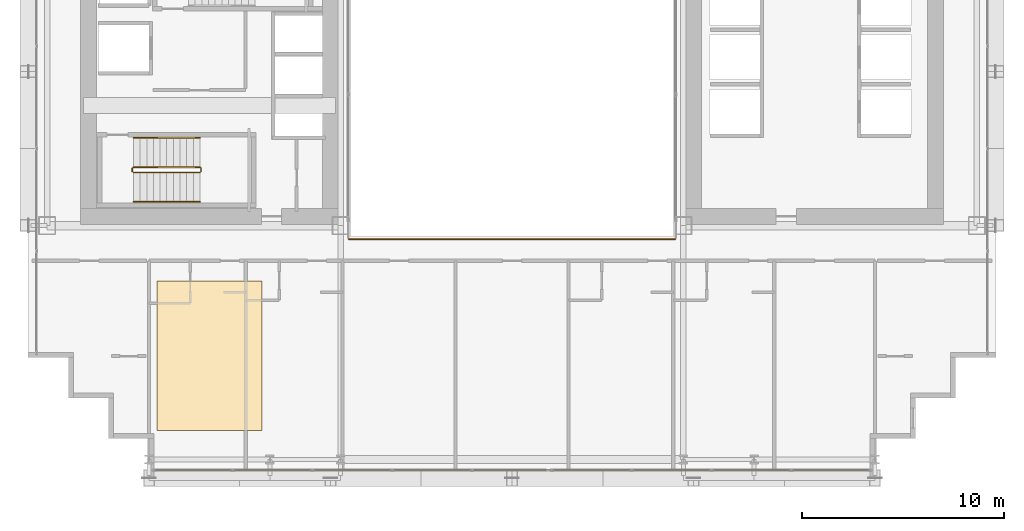
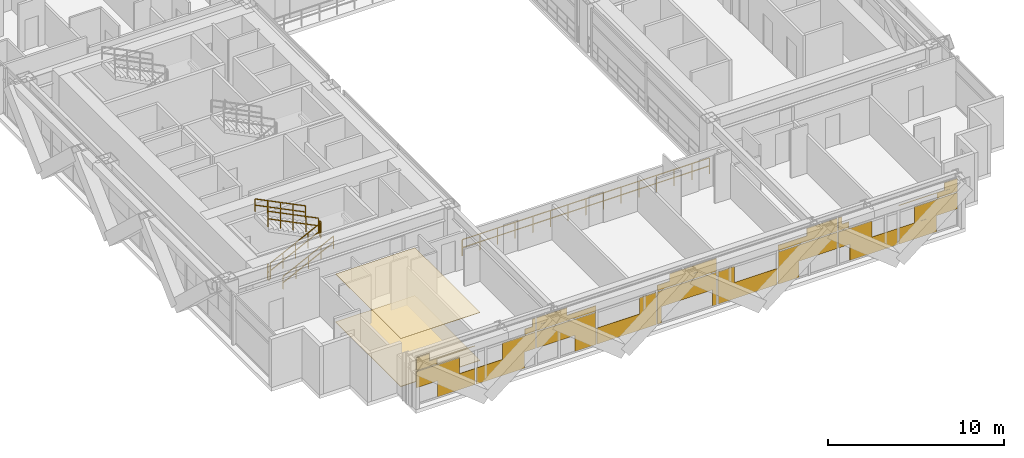
# One storey, part 38 of 41: 7 railings, 3 coverings.
"""IFC4 building model written with IfcOpenShell, lengths in metres."""

import ifcopenshell
import ifcopenshell.guid

model = None  # the IFC model being written
_history = None  # IfcOwnerHistory: only IFC2X3 demands one
_inside = {}  # id of a spatial element -> (the spatial element, [elements in it])
_under = {}  # id of a project, library or spatial element -> (it, [spatial elements below it])
_declared = {}  # id of a project -> (the project, [libraries it declares])
_typed = {}  # id of a type object -> (the type object, [elements of that type])
_made_of = {}  # id of a material, layer set ... -> (it, [elements and type objects made of it])


def new_model(schema):
    """Start an empty IFC model of exactly this schema.

    Asked for "IFC4X3", IfcOpenShell would pick the latest addendum, in which some entities
    have other attributes; the version numbers below select the first issue.
    IFC2X3 requires an IfcOwnerHistory on every rooted entity: one is made here for all.
    """
    global model, _history
    if schema == "IFC4X3":
        model = ifcopenshell.file(schema_version=(4, 3, 0, 0))
    else:
        model = ifcopenshell.file(schema=schema)
    _inside.clear()
    _under.clear()
    _declared.clear()
    _typed.clear()
    _made_of.clear()
    _history = None
    if model.schema == "IFC2X3":
        org = make("IfcOrganization", Name="unknown")
        user = make(
            "IfcPersonAndOrganization",
            ThePerson=make("IfcPerson", FamilyName="unknown"),
            TheOrganization=org,
        )
        app = make(
            "IfcApplication",
            ApplicationDeveloper=org,
            Version="unknown",
            ApplicationFullName="unknown",
            ApplicationIdentifier="unknown",
        )
        _history = make(
            "IfcOwnerHistory",
            OwningUser=user,
            OwningApplication=app,
            ChangeAction="ADDED",
            CreationDate=0,
        )
    return model


def make(cls, **values):
    """One entity of the class cls with the attributes given. An attribute that is None is left unset."""
    return model.create_entity(
        cls, **{name: value for name, value in values.items() if value is not None}
    )


def rooted(cls, **values):
    """An entity with a GlobalId (a new one), such as an element, a storey or a relation."""
    return make(cls, GlobalId=ifcopenshell.guid.new(), OwnerHistory=_history, **values)


def si_unit(unit_type, name, prefix=None):
    """IfcSIUnit, for example si_unit("LENGTHUNIT", "METRE", prefix="MILLI")."""
    return make("IfcSIUnit", UnitType=unit_type, Prefix=prefix, Name=name)


def assignment(units):
    """IfcUnitAssignment: the units of a project."""
    return None if units is None else make("IfcUnitAssignment", Units=units)


def point(xyz):
    """IfcCartesianPoint."""
    return None if xyz is None else make("IfcCartesianPoint", Coordinates=xyz)


def direction(xyz):
    """IfcDirection."""
    return None if xyz is None else make("IfcDirection", DirectionRatios=xyz)


def frame(location, z_axis=None, x_axis=None):
    """IfcAxis2Placement3D, a coordinate frame: its origin and axes. An axis left out is left unset."""
    return make(
        "IfcAxis2Placement3D",
        Location=point(location),
        Axis=direction(z_axis),
        RefDirection=direction(x_axis),
    )


def frame_2d(location, x_axis=None):
    """IfcAxis2Placement2D, a coordinate frame in the plane: its origin and x axis."""
    return make(
        "IfcAxis2Placement2D", Location=point(location), RefDirection=direction(x_axis)
    )


def origin():
    """The frame at (0, 0, 0) with its axes left unset."""
    return frame((0.0, 0.0, 0.0))


def origin_2d():
    """The frame at (0, 0) in the plane with its x axis left unset."""
    return frame_2d((0.0, 0.0))


def place(relative_to, where):
    """IfcLocalPlacement: puts the frame where relative to a parent placement (None: the world)."""
    return make(
        "IfcLocalPlacement", PlacementRelTo=relative_to, RelativePlacement=where
    )


def context(
    kind, dimensions, precision=None, world=None, true_north=None, identifier=None
):
    """IfcGeometricRepresentationContext, for example the 3D "Model" context."""
    return make(
        "IfcGeometricRepresentationContext",
        ContextIdentifier=identifier,
        ContextType=kind,
        CoordinateSpaceDimension=dimensions,
        Precision=precision,
        WorldCoordinateSystem=world,
        TrueNorth=true_north,
    )


def subcontext(parent, identifier, kind, view, scale=None):
    """IfcGeometricRepresentationSubContext, for example "Body" below "Model"."""
    return make(
        "IfcGeometricRepresentationSubContext",
        ContextIdentifier=identifier,
        ContextType=kind,
        ParentContext=parent,
        TargetScale=scale,
        TargetView=view,
    )


def project(units=None, contexts=None):
    """IfcProject with its units and contexts."""
    return rooted(
        "IfcProject",
        Name="project",
        RepresentationContexts=contexts,
        UnitsInContext=assignment(units),
    )


def spatial(cls, under=None, at=None, **own):
    """A site, building, storey or space (cls), placed at a placement, below another one or the project."""
    s = rooted(cls, ObjectPlacement=at, **own)
    if under is not None:
        _under.setdefault(under.id(), (under, []))[1].append(s)
    return s


def polyline(points):
    """IfcPolyline through the points."""
    return make("IfcPolyline", Points=[point(p) for p in points])


def profile(cls, at=None, kind="AREA", **sizes):
    """A parametric profile (cls). Its sizes go by their IFC names, for example OverallWidth=200.0."""
    return make(cls, ProfileType=kind, Position=at, **sizes)


def rectangle(**sizes):
    """IfcRectangleProfileDef."""
    return profile("IfcRectangleProfileDef", **sizes)


def outline(outer, holes=None, kind="AREA"):
    """IfcArbitraryClosedProfileDef: a profile drawn as a closed curve; with holes, ...WithVoids."""
    if holes is None:
        return make("IfcArbitraryClosedProfileDef", ProfileType=kind, OuterCurve=outer)
    return make(
        "IfcArbitraryProfileDefWithVoids",
        ProfileType=kind,
        OuterCurve=outer,
        InnerCurves=holes,
    )


def extrude(swept, where, along, depth):
    """IfcExtrudedAreaSolid: the profile swept, set in the frame where, extruded along a direction by depth."""
    return make(
        "IfcExtrudedAreaSolid",
        SweptArea=swept,
        Position=where,
        ExtrudedDirection=direction(along),
        Depth=depth,
    )


def shape(context_of_items, identifier, shape_type, items):
    """IfcShapeRepresentation: the items that make up one representation, for example the "Body"."""
    return make(
        "IfcShapeRepresentation",
        ContextOfItems=context_of_items,
        RepresentationIdentifier=identifier,
        RepresentationType=shape_type,
        Items=items,
    )


def material(Name=None, Category=None):
    """IfcMaterial."""
    return make("IfcMaterial", Name=Name, Category=Category)


def layer(
    of_material, thickness, ventilated=None, Name=None, Category=None, Priority=None
):
    """IfcMaterialLayer: one layer of a wall or slab, of a material (None: an air gap)."""
    return make(
        "IfcMaterialLayer",
        Material=of_material,
        LayerThickness=thickness,
        IsVentilated=ventilated,
        Name=Name,
        Category=Category,
        Priority=Priority,
    )


def layer_set(layers, Name=None):
    """IfcMaterialLayerSet."""
    return make("IfcMaterialLayerSet", MaterialLayers=layers, LayerSetName=Name)


def made_of(thing, what):
    """Note that an element or type object is made of a material, layer set ...; save() writes the relation."""
    if what is not None:
        _made_of.setdefault(what.id(), (what, []))[1].append(thing)
    return thing


def type_object(cls, material=None, **own):
    """A type object (cls), such as IfcWallType, which elements share."""
    return made_of(rooted(cls, **own), material)


def element(
    cls,
    number,
    at=None,
    inside=None,
    cuts=None,
    type_object=None,
    material=None,
    context=None,
    identifier="Body",
    shape_type=None,
    held_by="IfcProductDefinitionShape",
    body=None,
    shapes=None,
    **own,
):
    """One element of the class cls, such as IfcWall. Its Tag is "e" and its number.

    at: its placement. inside: the storey or other place that contains it. cuts: it is an
    opening in that element (IfcRelVoidsElement). A single representation is given by context,
    identifier, shape_type and body (its items); several are given by shapes. held_by: the class
    of the entity that holds the representations. save() writes the other relations.
    """
    e = rooted(cls, Tag="e%d" % number, ObjectPlacement=at, **own)
    if body is not None:
        shapes = [shape(context, identifier, shape_type, body)]
    if shapes is not None:
        e.Representation = make(held_by, Representations=shapes)
    if inside is not None:
        _inside.setdefault(inside.id(), (inside, []))[1].append(e)
    if cuts is not None:
        rooted(
            "IfcRelVoidsElement", RelatingBuildingElement=cuts, RelatedOpeningElement=e
        )
    if type_object is not None:
        _typed.setdefault(type_object.id(), (type_object, []))[1].append(e)
    return made_of(e, material)


def aggregate(whole, parts):
    """IfcRelAggregates: a whole, such as a stair, and the parts it consists of."""
    return rooted("IfcRelAggregates", RelatingObject=whole, RelatedObjects=parts)


def save(model, path):
    """Write the relations noted so far, then the file.

    IfcRelAggregates (storeys below a building ...), IfcRelContainedInSpatialStructure (elements
    in a storey), IfcRelDefinesByType, IfcRelAssociatesMaterial and IfcRelDeclares: one each for
    every whole, place, type object, material and project.
    """
    for whole, parts in _under.values():
        aggregate(whole, parts)
    for where, things in _inside.values():
        rooted(
            "IfcRelContainedInSpatialStructure",
            RelatedElements=things,
            RelatingStructure=where,
        )
    for kind, things in _typed.values():
        rooted("IfcRelDefinesByType", RelatedObjects=things, RelatingType=kind)
    for what, things in _made_of.values():
        rooted("IfcRelAssociatesMaterial", RelatedObjects=things, RelatingMaterial=what)
    for by, libraries in _declared.values():
        rooted("IfcRelDeclares", RelatingContext=by, RelatedDefinitions=libraries)
    model.write(path)


model = new_model("IFC4")

# Units and contexts
model_context = context("Model", 3, precision=1e-05, world=origin(), true_north=direction((0.0, 1.0)))
body_context = subcontext(model_context, "Body", "Model", "MODEL_VIEW")
ifc_project = project(units=[si_unit("LENGTHUNIT", "METRE"), si_unit("AREAUNIT", "SQUARE_METRE"), si_unit("VOLUMEUNIT", "CUBIC_METRE"), si_unit("PLANEANGLEUNIT", "RADIAN"), si_unit("MASSUNIT", "GRAM", prefix="KILO")], contexts=[model_context])

# Site, building, storey
site_placement = place(None, origin())
site = spatial("IfcSite", under=ifc_project, at=site_placement, CompositionType="ELEMENT")
building_placement = place(site_placement, origin())
building = spatial("IfcBuilding", under=site, at=building_placement, Name="Ocotamira Hotel", CompositionType="ELEMENT")
storey_placement = place(building_placement, frame((0.0, 0.0, 67.199951171875)))
storey = spatial("IfcBuildingStorey", under=building, at=storey_placement, Name="L16", CompositionType="ELEMENT", Elevation=67.199951171875)

# Coverings
ifc_material_1 = material(Name="Perforated acoustic gypsum ceiling board", Category="gypsum")
ifc_layer_1 = layer(ifc_material_1, 0.02490234375)
ifc_layer_set_1 = layer_set([ifc_layer_1], Name="Perforated acoustic gypsum ceiling board")
covering_type_1 = type_object("IfcCoveringType", Name="COV-CEIL-25", PredefinedType="CEILING", material=ifc_layer_set_1)
covering_1_placement = place(storey_placement, frame((0.0, 0.0, 3.324951171875)))
element("IfcCovering", 1, at=covering_1_placement, inside=storey, type_object=covering_type_1, Name="L16 Acoustic Ceiling", PredefinedType="CEILING", context=body_context, shape_type="SweptSolid", body=[
    extrude(outline(polyline([(14.39990234375, 4.39990234375), (19.60009765625, 4.39990234375), (19.60009765625, 11.800048828125), (14.39990234375, 11.800048828125), (14.39990234375, 4.39990234375)])), origin(), (0.0, 0.0, 1.0), 0.025146484375),
])
ifc_material_2 = material(Name="Honed desert travertine stone flooring", Category="masonry")
ifc_layer_2 = layer(ifc_material_2, 0.030029296875)
ifc_layer_set_2 = layer_set([ifc_layer_2], Name="Honed desert travertine stone flooring")
covering_type_2 = type_object("IfcCoveringType", Name="COV-FLOR-30", PredefinedType="FLOORING", material=ifc_layer_set_2)
covering_2_placement = place(storey_placement, origin())
element("IfcCovering", 2, at=covering_2_placement, inside=storey, type_object=covering_type_2, Name="L16 Honed Stone Floor Finish", PredefinedType="FLOORING", context=body_context, shape_type="SweptSolid", body=[
    extrude(outline(polyline([(14.39990234375, 4.39990234375), (19.60009765625, 4.39990234375), (19.60009765625, 11.800048828125), (14.39990234375, 11.800048828125), (14.39990234375, 4.39990234375)])), origin(), (0.0, 0.0, 1.0), 0.030029296875),
])
ifc_material_3 = material(Name="Insulated pale-metal aluminium spandrel panel", Category="aluminium")
ifc_layer_3 = layer(ifc_material_3, 0.044921875)
ifc_layer_set_3 = layer_set([ifc_layer_3], Name="Insulated pale-metal aluminium spandrel panel")
covering_type_3 = type_object("IfcCoveringType", Name="COV-INFILL-45", PredefinedType="CLADDING", material=ifc_layer_set_3)
covering_3_placement = place(storey_placement, origin())
element("IfcCovering", 3, at=covering_3_placement, inside=storey, type_object=covering_type_3, Name="L16 Curtain Wall Infill CW-2 CW-L16-S1", PredefinedType="CLADDING", context=body_context, shape_type="SweptSolid", body=[
    extrude(rectangle(XDim=2.822265625, YDim=0.044921875, at=origin_2d()), frame((15.691650390625, 2.419921875, 1.1943359375), z_axis=(0.0, 0.0, 1.0), x_axis=(1.0, 0.0, 0.0)), (0.0, 0.0, 1.0), 1.117919921875),
    extrude(rectangle(XDim=2.4521484375, YDim=0.044921875, at=origin_2d()), frame((16.888916015625, 2.419921875, 0.07568359375), z_axis=(0.0, 0.0, 1.0), x_axis=(1.0, 0.0, 0.0)), (0.0, 0.0, 1.0), 1.11767578125),
    extrude(rectangle(XDim=1.330078125, YDim=0.044921875, at=origin_2d()), frame((14.945556640625, 2.419921875, 2.38818359375), z_axis=(0.0, 0.0, 1.0), x_axis=(1.0, 0.0, 0.0)), (0.0, 0.0, 1.0), 0.344482421875),
    extrude(rectangle(XDim=3.834716796875, YDim=0.044921875, at=origin_2d()), frame((16.19775390625, 2.419921875, 2.7333984375), z_axis=(0.0, 0.0, 1.0), x_axis=(1.0, 0.0, 0.0)), (0.0, 0.0, 1.0), 0.0302734375),
    extrude(rectangle(XDim=0.859130859375, YDim=0.044921875, at=origin_2d()), frame((14.7099609375, 2.419921875, 2.7646484375), z_axis=(0.0, 0.0, 1.0), x_axis=(1.0, 0.0, 0.0)), (0.0, 0.0, 1.0), 0.509765625),
    extrude(rectangle(XDim=3.14111328125, YDim=0.044921875, at=origin_2d()), frame((19.7666015625, 2.419921875, 0.07568359375), z_axis=(0.0, 0.0, 1.0), x_axis=(1.0, 0.0, 0.0)), (0.0, 0.0, 1.0), 1.11767578125),
    extrude(rectangle(XDim=2.17333984375, YDim=0.044921875, at=origin_2d()), frame((20.98388671875, 2.419921875, 1.1943359375), z_axis=(0.0, 0.0, 1.0), x_axis=(1.0, 0.0, 0.0)), (0.0, 0.0, 1.0), 1.117919921875),
    extrude(rectangle(XDim=0.68115234375, YDim=0.044921875, at=origin_2d()), frame((21.72998046875, 2.419921875, 2.38818359375), z_axis=(0.0, 0.0, 1.0), x_axis=(1.0, 0.0, 0.0)), (0.0, 0.0, 1.0), 0.375732421875),
    extrude(rectangle(XDim=0.210205078125, YDim=0.044921875, at=origin_2d()), frame((21.965576171875, 2.419921875, 2.7646484375), z_axis=(0.0, 0.0, 1.0), x_axis=(1.0, 0.0, 0.0)), (0.0, 0.0, 1.0), 0.509765625),
    extrude(rectangle(XDim=3.87451171875, YDim=0.044921875, at=origin_2d()), frame((24.0888671875, 2.419921875, 1.1943359375), z_axis=(0.0, 0.0, 1.0), x_axis=(1.0, 0.0, 0.0)), (0.0, 0.0, 1.0), 1.117919921875),
    extrude(rectangle(XDim=1.36328125, YDim=0.044921875, at=origin_2d()), frame((25.344482421875, 2.419921875, 0.07568359375), z_axis=(0.0, 0.0, 1.0), x_axis=(1.0, 0.0, 0.0)), (0.0, 0.0, 1.0), 1.11767578125),
    extrude(rectangle(XDim=3.87451171875, YDim=0.044921875, at=origin_2d()), frame((24.0888671875, 2.419921875, 2.38818359375), z_axis=(0.0, 0.0, 1.0), x_axis=(1.0, 0.0, 0.0)), (0.0, 0.0, 1.0), 0.375732421875),
    extrude(rectangle(XDim=1.988037109375, YDim=0.044921875, at=origin_2d()), frame((23.1455078125, 2.419921875, 2.7646484375), z_axis=(0.0, 0.0, 1.0), x_axis=(1.0, 0.0, 0.0)), (0.0, 0.0, 1.0), 0.509765625),
    extrude(rectangle(XDim=3.87451171875, YDim=0.044921875, at=origin_2d()), frame((28.04443359375, 2.419921875, 0.07568359375), z_axis=(0.0, 0.0, 1.0), x_axis=(1.0, 0.0, 0.0)), (0.0, 0.0, 1.0), 1.11767578125),
    extrude(rectangle(XDim=1.08447265625, YDim=0.044921875, at=origin_2d()), frame((29.439453125, 2.419921875, 1.1943359375), z_axis=(0.0, 0.0, 1.0), x_axis=(1.0, 0.0, 0.0)), (0.0, 0.0, 1.0), 1.117919921875),
    extrude(rectangle(XDim=0.2744140625, YDim=0.044921875, at=origin_2d()), frame((30.199951171875, 2.419921875, 0.07568359375), z_axis=(0.0, 0.0, 1.0), x_axis=(1.0, 0.0, 0.0)), (0.0, 0.0, 1.0), 1.11767578125),
    extrude(rectangle(XDim=3.87451171875, YDim=0.044921875, at=origin_2d()), frame((32.0, 2.419921875, 1.1943359375), z_axis=(0.0, 0.0, 1.0), x_axis=(1.0, 0.0, 0.0)), (0.0, 0.0, 1.0), 1.117919921875),
    extrude(rectangle(XDim=0.2744140625, YDim=0.044921875, at=origin_2d()), frame((33.800048828125, 2.419921875, 0.07568359375), z_axis=(0.0, 0.0, 1.0), x_axis=(1.0, 0.0, 0.0)), (0.0, 0.0, 1.0), 1.11767578125),
    extrude(rectangle(XDim=3.87451171875, YDim=0.044921875, at=origin_2d()), frame((32.0, 2.419921875, 2.38818359375), z_axis=(0.0, 0.0, 1.0), x_axis=(1.0, 0.0, 0.0)), (0.0, 0.0, 1.0), 0.375732421875),
    extrude(rectangle(XDim=3.076904296875, YDim=0.044921875, at=origin_2d()), frame((32.39892578125, 2.419921875, 2.7646484375), z_axis=(0.0, 0.0, 1.0), x_axis=(1.0, 0.0, 0.0)), (0.0, 0.0, 1.0), 0.509765625),
    extrude(rectangle(XDim=3.87451171875, YDim=0.044921875, at=origin_2d()), frame((35.95556640625, 2.419921875, 0.07568359375), z_axis=(0.0, 0.0, 1.0), x_axis=(1.0, 0.0, 0.0)), (0.0, 0.0, 1.0), 1.11767578125),
    extrude(rectangle(XDim=1.08447265625, YDim=0.044921875, at=origin_2d()), frame((34.560546875, 2.419921875, 1.1943359375), z_axis=(0.0, 0.0, 1.0), x_axis=(1.0, 0.0, 0.0)), (0.0, 0.0, 1.0), 1.117919921875),
    extrude(rectangle(XDim=1.36328125, YDim=0.044921875, at=origin_2d()), frame((38.655517578125, 2.419921875, 0.07568359375), z_axis=(0.0, 0.0, 1.0), x_axis=(1.0, 0.0, 0.0)), (0.0, 0.0, 1.0), 1.11767578125),
    extrude(rectangle(XDim=3.87451171875, YDim=0.044921875, at=origin_2d()), frame((39.9111328125, 2.419921875, 1.1943359375), z_axis=(0.0, 0.0, 1.0), x_axis=(1.0, 0.0, 0.0)), (0.0, 0.0, 1.0), 1.117919921875),
    extrude(rectangle(XDim=3.87451171875, YDim=0.044921875, at=origin_2d()), frame((39.9111328125, 2.419921875, 2.38818359375), z_axis=(0.0, 0.0, 1.0), x_axis=(1.0, 0.0, 0.0)), (0.0, 0.0, 1.0), 0.375732421875),
    extrude(rectangle(XDim=1.988037109375, YDim=0.044921875, at=origin_2d()), frame((40.8544921875, 2.419921875, 2.7646484375), z_axis=(0.0, 0.0, 1.0), x_axis=(1.0, 0.0, 0.0)), (0.0, 0.0, 1.0), 0.509765625),
    extrude(rectangle(XDim=2.17333984375, YDim=0.044921875, at=origin_2d()), frame((43.01611328125, 2.419921875, 1.1943359375), z_axis=(0.0, 0.0, 1.0), x_axis=(1.0, 0.0, 0.0)), (0.0, 0.0, 1.0), 1.117919921875),
    extrude(rectangle(XDim=3.14111328125, YDim=0.044921875, at=origin_2d()), frame((44.2333984375, 2.419921875, 0.07568359375), z_axis=(0.0, 0.0, 1.0), x_axis=(1.0, 0.0, 0.0)), (0.0, 0.0, 1.0), 1.11767578125),
    extrude(rectangle(XDim=0.68115234375, YDim=0.044921875, at=origin_2d()), frame((42.27001953125, 2.419921875, 2.38818359375), z_axis=(0.0, 0.0, 1.0), x_axis=(1.0, 0.0, 0.0)), (0.0, 0.0, 1.0), 0.375732421875),
    extrude(rectangle(XDim=0.210205078125, YDim=0.044921875, at=origin_2d()), frame((42.034423828125, 2.419921875, 2.7646484375), z_axis=(0.0, 0.0, 1.0), x_axis=(1.0, 0.0, 0.0)), (0.0, 0.0, 1.0), 0.509765625),
    extrude(rectangle(XDim=2.4521484375, YDim=0.044921875, at=origin_2d()), frame((47.111083984375, 2.419921875, 0.07568359375), z_axis=(0.0, 0.0, 1.0), x_axis=(1.0, 0.0, 0.0)), (0.0, 0.0, 1.0), 1.11767578125),
    extrude(rectangle(XDim=2.822265625, YDim=0.044921875, at=origin_2d()), frame((48.308349609375, 2.419921875, 1.1943359375), z_axis=(0.0, 0.0, 1.0), x_axis=(1.0, 0.0, 0.0)), (0.0, 0.0, 1.0), 1.117919921875),
    extrude(rectangle(XDim=3.834716796875, YDim=0.044921875, at=origin_2d()), frame((47.80224609375, 2.419921875, 2.7333984375), z_axis=(0.0, 0.0, 1.0), x_axis=(1.0, 0.0, 0.0)), (0.0, 0.0, 1.0), 0.0302734375),
    extrude(rectangle(XDim=1.330078125, YDim=0.044921875, at=origin_2d()), frame((49.054443359375, 2.419921875, 2.38818359375), z_axis=(0.0, 0.0, 1.0), x_axis=(1.0, 0.0, 0.0)), (0.0, 0.0, 1.0), 0.344482421875),
    extrude(rectangle(XDim=0.859130859375, YDim=0.044921875, at=origin_2d()), frame((49.2900390625, 2.419921875, 2.7646484375), z_axis=(0.0, 0.0, 1.0), x_axis=(1.0, 0.0, 0.0)), (0.0, 0.0, 1.0), 0.509765625),
])

# Railings
ifc_material_4 = material(Name="Painted steel stair guardrail", Category="steel")
railing_type_1 = type_object("IfcRailingType", Name="RL-EDGE-1150", PredefinedType="GUARDRAIL", material=ifc_material_4)
railing_1_placement = place(storey_placement, frame((23.89990234375, 13.8798828125, 0.0)))
element("IfcRailing", 4, at=railing_1_placement, inside=storey, type_object=railing_type_1, Name="L16 Central Atrium Edge Guardrail S", PredefinedType="GUARDRAIL", context=body_context, shape_type="SweptSolid", body=[
    extrude(rectangle(XDim=0.048095703125, YDim=0.048095703125, at=origin_2d()), frame((0.0, 0.0, 1.1259765625), z_axis=(1.0, 0.0, 0.0), x_axis=(0.0, 1.0, 0.0)), (0.0, 0.0, 1.0), 16.2001953125),
    extrude(rectangle(XDim=0.048095703125, YDim=0.048095703125, at=origin_2d()), frame((0.0, 0.0, 0.574951171875), z_axis=(1.0, 0.0, 0.0), x_axis=(0.0, 1.0, 0.0)), (0.0, 0.0, 1.0), 16.2001953125),
    extrude(rectangle(XDim=0.0419921875, YDim=0.0419921875, at=origin_2d()), origin(), (0.0, 0.0, 1.0), 1.101806640625),
    extrude(rectangle(XDim=0.0419921875, YDim=0.0419921875, at=origin_2d()), frame((1.1572265625, 0.0, 0.0)), (0.0, 0.0, 1.0), 1.101806640625),
    extrude(rectangle(XDim=0.0419921875, YDim=0.0419921875, at=origin_2d()), frame((2.314208984375, 0.0, 0.0)), (0.0, 0.0, 1.0), 1.101806640625),
    extrude(rectangle(XDim=0.0419921875, YDim=0.0419921875, at=origin_2d()), frame((3.471435546875, 0.0, 0.0)), (0.0, 0.0, 1.0), 1.101806640625),
    extrude(rectangle(XDim=0.0419921875, YDim=0.0419921875, at=origin_2d()), frame((4.628662109375, 0.0, 0.0)), (0.0, 0.0, 1.0), 1.101806640625),
    extrude(rectangle(XDim=0.0419921875, YDim=0.0419921875, at=origin_2d()), frame((5.785888671875, 0.0, 0.0)), (0.0, 0.0, 1.0), 1.101806640625),
    extrude(rectangle(XDim=0.0419921875, YDim=0.0419921875, at=origin_2d()), frame((6.94287109375, 0.0, 0.0)), (0.0, 0.0, 1.0), 1.101806640625),
    extrude(rectangle(XDim=0.0419921875, YDim=0.0419921875, at=origin_2d()), frame((8.10009765625, 0.0, 0.0)), (0.0, 0.0, 1.0), 1.101806640625),
    extrude(rectangle(XDim=0.0419921875, YDim=0.0419921875, at=origin_2d()), frame((9.25732421875, 0.0, 0.0)), (0.0, 0.0, 1.0), 1.101806640625),
    extrude(rectangle(XDim=0.0419921875, YDim=0.0419921875, at=origin_2d()), frame((10.414306640625, 0.0, 0.0)), (0.0, 0.0, 1.0), 1.101806640625),
    extrude(rectangle(XDim=0.0419921875, YDim=0.0419921875, at=origin_2d()), frame((11.571533203125, 0.0, 0.0)), (0.0, 0.0, 1.0), 1.101806640625),
    extrude(rectangle(XDim=0.0419921875, YDim=0.0419921875, at=origin_2d()), frame((12.728759765625, 0.0, 0.0)), (0.0, 0.0, 1.0), 1.101806640625),
    extrude(rectangle(XDim=0.0419921875, YDim=0.0419921875, at=origin_2d()), frame((13.885986328125, 0.0, 0.0)), (0.0, 0.0, 1.0), 1.101806640625),
    extrude(rectangle(XDim=0.0419921875, YDim=0.0419921875, at=origin_2d()), frame((15.04296875, 0.0, 0.0)), (0.0, 0.0, 1.0), 1.101806640625),
    extrude(rectangle(XDim=0.0419921875, YDim=0.0419921875, at=origin_2d()), frame((16.2001953125, 0.0, 0.0)), (0.0, 0.0, 1.0), 1.101806640625),
])
ifc_material_5 = material(Name="Brushed stainless steel handrail", Category="steel")
railing_type_2 = type_object("IfcRailingType", Name="RL-HAND-900", PredefinedType="HANDRAIL", material=ifc_material_5)
railing_2_placement = place(storey_placement, frame((13.22998046875, 15.719970703125, 0.327392578125)))
element("IfcRailing", 5, at=railing_2_placement, inside=storey, type_object=railing_type_2, Name="L16 ST-1 stair handrail 1", PredefinedType="HANDRAIL", context=body_context, shape_type="SweptSolid", body=[
    extrude(rectangle(XDim=0.048095703125, YDim=0.048095703125, at=origin_2d()), frame((0.0, 0.0, 0.8759765625), z_axis=(0.895920123917, 0.0, 0.444215186098), x_axis=(0.0, 1.0, 0.0)), (0.0, 0.0, 1.0), 3.683349609375),
    extrude(rectangle(XDim=0.048095703125, YDim=0.048095703125, at=origin_2d()), frame((0.0, 0.0, 0.449951171875), z_axis=(0.895920123917, 0.0, 0.444215186098), x_axis=(0.0, 1.0, 0.0)), (0.0, 0.0, 1.0), 3.683349609375),
    extrude(rectangle(XDim=0.0419921875, YDim=0.0419921875, at=origin_2d()), origin(), (0.0, 0.0, 1.0), 0.851806640625),
    extrude(rectangle(XDim=0.0419921875, YDim=0.0419921875, at=origin_2d()), frame((0.824951171875, 0.0, 0.4091796875)), (0.0, 0.0, 1.0), 0.851806640625),
    extrude(rectangle(XDim=0.0419921875, YDim=0.0419921875, at=origin_2d()), frame((1.64990234375, 0.0, 0.818115234375)), (0.0, 0.0, 1.0), 0.851806640625),
    extrude(rectangle(XDim=0.0419921875, YDim=0.0419921875, at=origin_2d()), frame((2.47509765625, 0.0, 1.22705078125)), (0.0, 0.0, 1.0), 0.851806640625),
    extrude(rectangle(XDim=0.0419921875, YDim=0.0419921875, at=origin_2d()), frame((3.300048828125, 0.0, 1.63623046875)), (0.0, 0.0, 1.0), 0.851806640625),
])
railing_3_placement = place(storey_placement, frame((16.530029296875, 18.89990234375, 2.12744140625)))
element("IfcRailing", 6, at=railing_3_placement, inside=storey, type_object=railing_type_2, Name="L16 ST-1 stair handrail 2", PredefinedType="HANDRAIL", context=body_context, shape_type="SweptSolid", body=[
    extrude(rectangle(XDim=0.048095703125, YDim=0.048095703125, at=origin_2d()), frame((0.0, 0.0, 0.8759765625), z_axis=(-0.895920123917, 0.0, 0.444215186098), x_axis=(0.0, -1.0, 0.0)), (0.0, 0.0, 1.0), 3.683349609375),
    extrude(rectangle(XDim=0.048095703125, YDim=0.048095703125, at=origin_2d()), frame((0.0, 0.0, 0.449951171875), z_axis=(-0.895920123917, 0.0, 0.444215186098), x_axis=(0.0, -1.0, 0.0)), (0.0, 0.0, 1.0), 3.683349609375),
    extrude(rectangle(XDim=0.0419921875, YDim=0.0419921875, at=origin_2d()), origin(), (0.0, 0.0, 1.0), 0.851806640625),
    extrude(rectangle(XDim=0.0419921875, YDim=0.0419921875, at=origin_2d()), frame((-0.824951171875, 0.0, 0.4091796875)), (0.0, 0.0, 1.0), 0.851806640625),
    extrude(rectangle(XDim=0.0419921875, YDim=0.0419921875, at=origin_2d()), frame((-1.64990234375, 0.0, 0.818115234375)), (0.0, 0.0, 1.0), 0.851806640625),
    extrude(rectangle(XDim=0.0419921875, YDim=0.0419921875, at=origin_2d()), frame((-2.47509765625, 0.0, 1.22705078125)), (0.0, 0.0, 1.0), 0.851806640625),
    extrude(rectangle(XDim=0.0419921875, YDim=0.0419921875, at=origin_2d()), frame((-3.300048828125, 0.0, 1.63623046875)), (0.0, 0.0, 1.0), 0.851806640625),
])
railing_type_3 = type_object("IfcRailingType", Name="RL-STAIR-1100", PredefinedType="GUARDRAIL", material=ifc_material_4)
railing_4_placement = place(storey_placement, frame((13.22998046875, 17.179931640625, 0.16357421875)))
element("IfcRailing", 7, at=railing_4_placement, inside=storey, type_object=railing_type_3, Name="L16 ST-1 stair guard 1", PredefinedType="GUARDRAIL", context=body_context, shape_type="SweptSolid", body=[
    extrude(rectangle(XDim=0.048095703125, YDim=0.048095703125, at=origin_2d()), frame((0.0, 0.0, 1.076171875), z_axis=(0.895893744519, 0.0, 0.4442683857), x_axis=(0.0, 1.0, 0.0)), (0.0, 0.0, 1.0), 3.68359375),
    extrude(rectangle(XDim=0.048095703125, YDim=0.048095703125, at=origin_2d()), frame((0.0, 0.0, 0.550048828125), z_axis=(0.895893744519, 0.0, 0.4442683857), x_axis=(0.0, 1.0, 0.0)), (0.0, 0.0, 1.0), 3.68359375),
    extrude(rectangle(XDim=0.0419921875, YDim=0.0419921875, at=origin_2d()), origin(), (0.0, 0.0, 1.0), 1.052001953125),
    extrude(rectangle(XDim=0.0419921875, YDim=0.0419921875, at=origin_2d()), frame((0.824951171875, 0.0, 0.4091796875)), (0.0, 0.0, 1.0), 1.052001953125),
    extrude(rectangle(XDim=0.0419921875, YDim=0.0419921875, at=origin_2d()), frame((1.64990234375, 0.0, 0.818359375)), (0.0, 0.0, 1.0), 1.052001953125),
    extrude(rectangle(XDim=0.0419921875, YDim=0.0419921875, at=origin_2d()), frame((2.47509765625, 0.0, 1.227294921875)), (0.0, 0.0, 1.0), 1.052001953125),
    extrude(rectangle(XDim=0.0419921875, YDim=0.0419921875, at=origin_2d()), frame((3.300048828125, 0.0, 1.636474609375)), (0.0, 0.0, 1.0), 1.052001953125),
])
railing_5_placement = place(storey_placement, frame((16.580078125, 17.22998046875, 1.800048828125)))
element("IfcRailing", 8, at=railing_5_placement, inside=storey, type_object=railing_type_3, Name="L16 ST-1 stair guard 2", PredefinedType="GUARDRAIL", context=body_context, shape_type="SweptSolid", body=[
    extrude(rectangle(XDim=0.048095703125, YDim=0.048095703125, at=origin_2d()), frame((0.0, 0.0, 1.076171875), z_axis=(0.0, 1.0, 0.0), x_axis=(-1.0, 0.0, 0.0)), (0.0, 0.0, 1.0), 0.159912109375),
    extrude(rectangle(XDim=0.048095703125, YDim=0.048095703125, at=origin_2d()), frame((0.0, 0.0, 0.550048828125), z_axis=(0.0, 1.0, 0.0), x_axis=(-1.0, 0.0, 0.0)), (0.0, 0.0, 1.0), 0.159912109375),
    extrude(rectangle(XDim=0.0419921875, YDim=0.0419921875, at=origin_2d()), origin(), (0.0, 0.0, 1.0), 1.052001953125),
    extrude(rectangle(XDim=0.0419921875, YDim=0.0419921875, at=origin_2d()), frame((0.0, 0.159912109375, 0.0)), (0.0, 0.0, 1.0), 1.052001953125),
])
railing_6_placement = place(storey_placement, frame((16.530029296875, 17.43994140625, 1.963623046875)))
element("IfcRailing", 9, at=railing_6_placement, inside=storey, type_object=railing_type_3, Name="L16 ST-1 stair guard 3", PredefinedType="GUARDRAIL", context=body_context, shape_type="SweptSolid", body=[
    extrude(rectangle(XDim=0.048095703125, YDim=0.048095703125, at=origin_2d()), frame((0.0, 0.0, 1.076171875), z_axis=(-0.895893744519, 0.0, 0.4442683857), x_axis=(0.0, -1.0, 0.0)), (0.0, 0.0, 1.0), 3.68359375),
    extrude(rectangle(XDim=0.048095703125, YDim=0.048095703125, at=origin_2d()), frame((0.0, 0.0, 0.550048828125), z_axis=(-0.895893744519, 0.0, 0.4442683857), x_axis=(0.0, -1.0, 0.0)), (0.0, 0.0, 1.0), 3.68359375),
    extrude(rectangle(XDim=0.0419921875, YDim=0.0419921875, at=origin_2d()), origin(), (0.0, 0.0, 1.0), 1.052001953125),
    extrude(rectangle(XDim=0.0419921875, YDim=0.0419921875, at=origin_2d()), frame((-0.824951171875, 0.0, 0.4091796875)), (0.0, 0.0, 1.0), 1.052001953125),
    extrude(rectangle(XDim=0.0419921875, YDim=0.0419921875, at=origin_2d()), frame((-1.64990234375, 0.0, 0.818359375)), (0.0, 0.0, 1.0), 1.052001953125),
    extrude(rectangle(XDim=0.0419921875, YDim=0.0419921875, at=origin_2d()), frame((-2.47509765625, 0.0, 1.227294921875)), (0.0, 0.0, 1.0), 1.052001953125),
    extrude(rectangle(XDim=0.0419921875, YDim=0.0419921875, at=origin_2d()), frame((-3.300048828125, 0.0, 1.636474609375)), (0.0, 0.0, 1.0), 1.052001953125),
])
railing_7_placement = place(storey_placement, frame((13.179931640625, 17.22998046875, 0.0)))
element("IfcRailing", 10, at=railing_7_placement, inside=storey, type_object=railing_type_3, Name="L16 ST-1 stair guard 4", PredefinedType="GUARDRAIL", context=body_context, shape_type="SweptSolid", body=[
    extrude(rectangle(XDim=0.048095703125, YDim=0.048095703125, at=origin_2d()), frame((0.0, 0.0, 1.076171875), z_axis=(0.0, 1.0, 0.0), x_axis=(-1.0, 0.0, 0.0)), (0.0, 0.0, 1.0), 0.159912109375),
    extrude(rectangle(XDim=0.048095703125, YDim=0.048095703125, at=origin_2d()), frame((0.0, 0.0, 0.550048828125), z_axis=(0.0, 1.0, 0.0), x_axis=(-1.0, 0.0, 0.0)), (0.0, 0.0, 1.0), 0.159912109375),
    extrude(rectangle(XDim=0.0419921875, YDim=0.0419921875, at=origin_2d()), origin(), (0.0, 0.0, 1.0), 1.052001953125),
    extrude(rectangle(XDim=0.0419921875, YDim=0.0419921875, at=origin_2d()), frame((0.0, 0.159912109375, 0.0)), (0.0, 0.0, 1.0), 1.052001953125),
])

save(model, "model.ifc")
